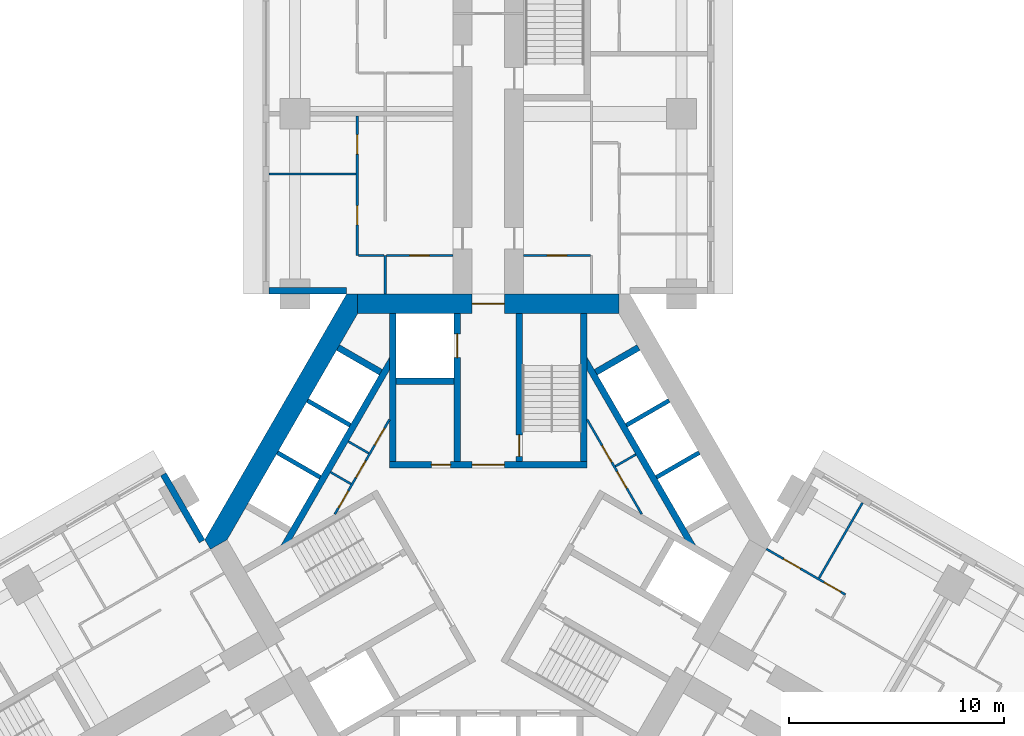
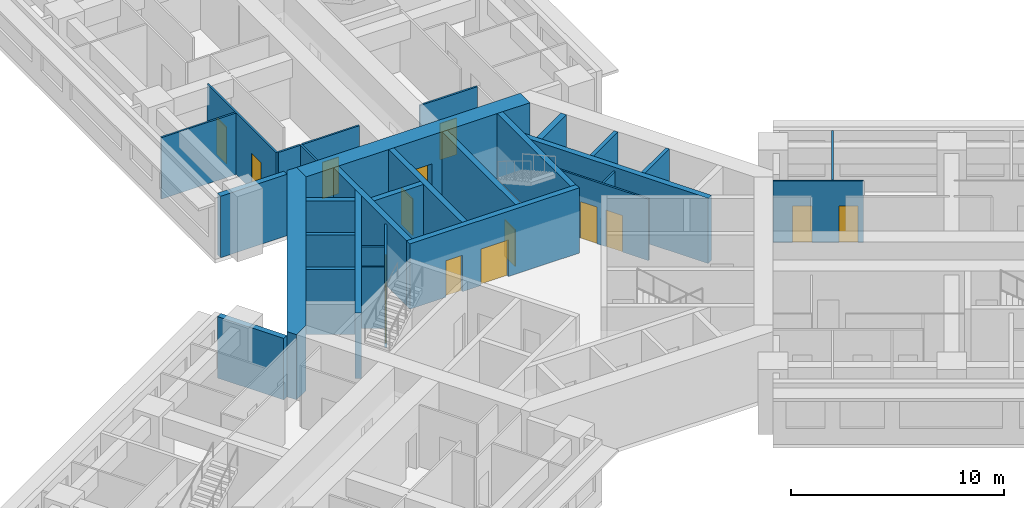
# One storey, part 8 of 16: 31 walls, 16 doors, 16 openings.
"""IFC4 building model written with IfcOpenShell, lengths in metres."""

from ifc_helpers import new_model, si_unit, direction, frame, frame_2d, origin, place, context, subcontext, project, spatial, polyline, rectangle, outline, extrude, material, layer, layer_set, type_object, element, fill, save


model = new_model("IFC4")

# Units and contexts
model_context = context("Model", 3, precision=1e-05, world=origin(), true_north=direction((0.0, 1.0)))
body_context = subcontext(model_context, "Body", "Model", "MODEL_VIEW")
ifc_project = project(units=[si_unit("LENGTHUNIT", "METRE"), si_unit("AREAUNIT", "SQUARE_METRE"), si_unit("VOLUMEUNIT", "CUBIC_METRE"), si_unit("PLANEANGLEUNIT", "RADIAN"), si_unit("MASSUNIT", "GRAM", prefix="KILO")], contexts=[model_context])

# Site, building, storey
site_placement = place(None, origin())
site = spatial("IfcSite", under=ifc_project, at=site_placement, CompositionType="ELEMENT")
building_placement = place(site_placement, origin())
building = spatial("IfcBuilding", under=site, at=building_placement, Name="Impinga Residences", CompositionType="ELEMENT")
storey_placement = place(building_placement, frame((0.0, 0.0, 78.5)))
storey = spatial("IfcBuildingStorey", under=building, at=storey_placement, Name="L19", CompositionType="ELEMENT", Elevation=78.5)

# Wall, openings, doors
ifc_material_1 = material(Name="Concrete blockwork", Category="masonry")
ifc_layer_1 = layer(ifc_material_1, 0.10009765625)
ifc_layer_set_1 = layer_set([ifc_layer_1], Name="CP1 core room partition, blockwork 100")
wall_type_1 = type_object("IfcWallType", Name="CP1 core room partition, blockwork 100", PredefinedType="PARTITIONING", material=ifc_layer_set_1)
wall_1_placement = place(storey_placement, frame((4.60009765625, 5.595703125, 0.0), z_axis=(0.0, 0.0, 1.0), x_axis=(0.499975622669, -0.866039477586, 0.0)))
wall_1 = element("IfcWall", 1, at=wall_1_placement, inside=storey, type_object=wall_type_1, Name="Core room partition, blockwork L19:CORE:mid:FP", PredefinedType="PARTITIONING", context=body_context, shape_type="SweptSolid", body=[
    extrude(rectangle(XDim=5.092041015625, YDim=0.10009765625, at=frame_2d((2.5458984375, 0.0))), origin(), (0.0, 0.0, 1.0), 3.530029296875),
])
opening_1_placement = place(wall_1_placement, frame((1.39599609375, 0.0, 0.0)))
opening_1 = element("IfcOpeningElement", 2, at=opening_1_placement, cuts=wall_1, Name="Opening D6", PredefinedType="OPENING", context=body_context, shape_type="SweptSolid", body=[
    extrude(rectangle(XDim=0.89990234375, YDim=2.10009765625, at=frame_2d((0.449951171875, 1.050048828125))), frame((0.0, 0.06005859375, 0.0), z_axis=(0.0, -1.0, 0.0), x_axis=(1.0, 0.0, 0.0)), (0.0, 0.0, 1.0), 0.1201171875),
])
opening_2_placement = place(wall_1_placement, frame((2.7958984375, 0.0, 0.0)))
opening_2 = element("IfcOpeningElement", 3, at=opening_2_placement, cuts=wall_1, Name="Opening D6", PredefinedType="OPENING", context=body_context, shape_type="SweptSolid", body=[
    extrude(rectangle(XDim=0.89990234375, YDim=2.10009765625, at=frame_2d((0.449951171875, 1.050048828125))), frame((0.0, 0.06005859375, 0.0), z_axis=(0.0, -1.0, 0.0), x_axis=(1.0, 0.0, 0.0)), (0.0, 0.0, 1.0), 0.1201171875),
])
ifc_material_2 = material(Name="Timber door set", Category="wood")
door_type_1 = type_object("IfcDoorType", Name="D6 riser and store door 900x2100", OperationType="SINGLE_SWING_LEFT", PredefinedType="DOOR", material=ifc_material_2)
door_1_placement = place(opening_1_placement, origin())
door_1 = element("IfcDoor", 4, at=door_1_placement, inside=storey, type_object=door_type_1, Name="Housekeeping store door", OperationType="SINGLE_SWING_LEFT", OverallHeight=2.10009765625, OverallWidth=0.89990234375, PredefinedType="DOOR", context=body_context, shape_type="SweptSolid", body=[
    extrude(rectangle(XDim=0.89990234375, YDim=2.10009765625, at=frame_2d((0.449951171875, 1.050048828125))), frame((0.0, 0.02490234375, 0.0), z_axis=(0.0, -1.0, 0.0), x_axis=(1.0, 0.0, 0.0)), (0.0, 0.0, 1.0), 0.050048828125),
])
fill(opening_1, door_1)
door_2_placement = place(opening_2_placement, origin())
door_2 = element("IfcDoor", 5, at=door_2_placement, inside=storey, type_object=door_type_1, Name="Linen store door", OperationType="SINGLE_SWING_RIGHT", OverallHeight=2.10009765625, OverallWidth=0.89990234375, PredefinedType="DOOR", context=body_context, shape_type="SweptSolid", body=[
    extrude(rectangle(XDim=0.89990234375, YDim=2.10009765625, at=frame_2d((0.449951171875, 1.050048828125))), frame((0.0, 0.02490234375, 0.0), z_axis=(0.0, -1.0, 0.0), x_axis=(1.0, 0.0, 0.0)), (0.0, 0.0, 1.0), 0.050048828125),
])
fill(opening_2, door_2)

# Wall
wall_2_placement = place(storey_placement, frame((5.916259765625, 3.415771484375, 0.0), z_axis=(0.0, 0.0, 1.0), x_axis=(0.866008176907, 0.50002983664, 0.0)))
element("IfcWall", 6, at=wall_2_placement, inside=storey, type_object=wall_type_1, Name="Core room partition, blockwork L19:CORE:mid:FS", PredefinedType="PARTITIONING", context=body_context, shape_type="SweptSolid", body=[
    extrude(rectangle(XDim=1.10009765625, YDim=0.10009765625, at=frame_2d((0.550048828125, 0.0))), origin(), (0.0, 0.0, 1.0), 3.530029296875),
])

# Wall, openings, doors
wall_3_placement = place(storey_placement, frame((-7.14599609375, 1.185791015625, 0.0), z_axis=(0.0, 0.0, 1.0), x_axis=(0.499975622669, 0.866039477586, 0.0)))
wall_3 = element("IfcWall", 7, at=wall_3_placement, inside=storey, type_object=wall_type_1, Name="Core room partition, blockwork L19:CORE:high:FP", PredefinedType="PARTITIONING", context=body_context, shape_type="SweptSolid", body=[
    extrude(rectangle(XDim=5.092041015625, YDim=0.10009765625, at=frame_2d((2.5458984375, 0.0))), origin(), (0.0, 0.0, 1.0), 3.530029296875),
])
opening_3_placement = place(wall_3_placement, frame((0.347900390625, 0.0, 0.0)))
opening_3 = element("IfcOpeningElement", 8, at=opening_3_placement, cuts=wall_3, Name="Opening D6", PredefinedType="OPENING", context=body_context, shape_type="SweptSolid", body=[
    extrude(rectangle(XDim=0.89990234375, YDim=2.10009765625, at=frame_2d((0.449951171875, 1.050048828125))), frame((0.0, 0.06005859375, 0.0), z_axis=(0.0, -1.0, 0.0), x_axis=(1.0, 0.0, 0.0)), (0.0, 0.0, 1.0), 0.1201171875),
])
opening_4_placement = place(wall_3_placement, frame((1.970947265625, 0.0, 0.0)))
opening_4 = element("IfcOpeningElement", 9, at=opening_4_placement, cuts=wall_3, Name="Opening D6", PredefinedType="OPENING", context=body_context, shape_type="SweptSolid", body=[
    extrude(rectangle(XDim=0.89990234375, YDim=2.10009765625, at=frame_2d((0.449951171875, 1.050048828125))), frame((0.0, 0.06005859375, 0.0), z_axis=(0.0, -1.0, 0.0), x_axis=(1.0, 0.0, 0.0)), (0.0, 0.0, 1.0), 0.1201171875),
])
opening_5_placement = place(wall_3_placement, frame((3.718994140625, 0.0, 0.0)))
opening_5 = element("IfcOpeningElement", 10, at=opening_5_placement, cuts=wall_3, Name="Opening D6", PredefinedType="OPENING", context=body_context, shape_type="SweptSolid", body=[
    extrude(rectangle(XDim=0.89990234375, YDim=2.10009765625, at=frame_2d((0.449951171875, 1.050048828125))), frame((0.0, 0.06005859375, 0.0), z_axis=(0.0, -1.0, 0.0), x_axis=(1.0, 0.0, 0.0)), (0.0, 0.0, 1.0), 0.1201171875),
])
door_3_placement = place(opening_3_placement, origin())
door_3 = element("IfcDoor", 11, at=door_3_placement, inside=storey, type_object=door_type_1, Name="Cleaners' store door", OperationType="SINGLE_SWING_LEFT", OverallHeight=2.10009765625, OverallWidth=0.89990234375, PredefinedType="DOOR", context=body_context, shape_type="SweptSolid", body=[
    extrude(rectangle(XDim=0.89990234375, YDim=2.10009765625, at=frame_2d((0.449951171875, 1.050048828125))), frame((0.0, 0.02490234375, 0.0), z_axis=(0.0, -1.0, 0.0), x_axis=(1.0, 0.0, 0.0)), (0.0, 0.0, 1.0), 0.050048828125),
])
fill(opening_3, door_3)
door_4_placement = place(opening_4_placement, origin())
door_4 = element("IfcDoor", 12, at=door_4_placement, inside=storey, type_object=door_type_1, Name="Parcel store door", OperationType="SINGLE_SWING_LEFT", OverallHeight=2.10009765625, OverallWidth=0.89990234375, PredefinedType="DOOR", context=body_context, shape_type="SweptSolid", body=[
    extrude(rectangle(XDim=0.89990234375, YDim=2.10009765625, at=frame_2d((0.449951171875, 1.050048828125))), frame((0.0, 0.02490234375, 0.0), z_axis=(0.0, -1.0, 0.0), x_axis=(1.0, 0.0, 0.0)), (0.0, 0.0, 1.0), 0.050048828125),
])
fill(opening_4, door_4)
door_5_placement = place(opening_5_placement, origin())
door_5 = element("IfcDoor", 13, at=door_5_placement, inside=storey, type_object=door_type_1, Name="Comms cupboard door", OperationType="SINGLE_SWING_RIGHT", OverallHeight=2.10009765625, OverallWidth=0.89990234375, PredefinedType="DOOR", context=body_context, shape_type="SweptSolid", body=[
    extrude(rectangle(XDim=0.89990234375, YDim=2.10009765625, at=frame_2d((0.449951171875, 1.050048828125))), frame((0.0, 0.02490234375, 0.0), z_axis=(0.0, -1.0, 0.0), x_axis=(1.0, 0.0, 0.0)), (0.0, 0.0, 1.0), 0.050048828125),
])
fill(opening_5, door_5)

# Walls
for number, where, z_axis, x_axis, name in (
    (14, (-6.391357421875, 2.593017578125, 0.0), (0.0, 0.0, 1.0), (-0.866008176907, 0.50002983664, 0.0), "Core room partition, blockwork L19:CORE:high:FS1"),
    (15, (-5.566162109375, 4.02197265625, 0.0), (0.0, 0.0, 1.0), (-0.866008176907, 0.50002983664, 0.0), "Core room partition, blockwork L19:CORE:high:FS2"),
):
    element("IfcWall", number, at=place(storey_placement, frame(where, z_axis=z_axis, x_axis=x_axis)), inside=storey, type_object=wall_type_1, Name=name, PredefinedType="PARTITIONING", context=body_context, shape_type="SweptSolid", body=[
        extrude(rectangle(XDim=1.10009765625, YDim=0.10009765625, at=frame_2d((0.550048828125, 0.0))), origin(), (0.0, 0.0, 1.0), 3.530029296875),
    ])
ifc_material_3 = material(Name="Terracotta rainscreen on blockwork", Category="masonry")
ifc_layer_2 = layer(ifc_material_3, 0.300048828125)
ifc_layer_set_2 = layer_set([ifc_layer_2], Name="EW1 external wall, terracotta rainscreen on blockwork 300")
wall_type_2 = type_object("IfcWallType", Name="EW1 external wall, terracotta rainscreen on blockwork 300", PredefinedType="SOLIDWALL", material=ifc_layer_set_2)
wall_4_placement = place(storey_placement, frame((-15.1298828125, 3.042724609375, 0.0), z_axis=(0.0, 0.0, 1.0), x_axis=(0.500012057535, -0.866018442252, 0.0)))
element("IfcWall", 16, at=wall_4_placement, inside=storey, type_object=wall_type_2, Name="External wall EW1 L19", PredefinedType="SOLIDWALL", context=body_context, shape_type="SweptSolid", body=[
    extrude(rectangle(XDim=3.60009765625, YDim=0.300048828125, at=frame_2d((1.800048828125, 0.0))), origin(), (0.0, 0.0, 1.0), 3.530029296875),
])
wall_5_placement = place(storey_placement, frame((-6.60009765625, 11.58154296875, 0.0), z_axis=(0.0, 0.0, 1.0), x_axis=(-1.0, 0.0, 0.0)))
element("IfcWall", 17, at=wall_5_placement, inside=storey, type_object=wall_type_2, Name="External wall EW1 L19", PredefinedType="SOLIDWALL", context=body_context, shape_type="SweptSolid", body=[
    extrude(rectangle(XDim=3.599853515625, YDim=0.300048828125, at=frame_2d((1.7998046875, 0.0))), origin(), (0.0, 0.0, 1.0), 3.530029296875),
])
ifc_material_4 = material(Name="Gypsum board on steel studs", Category="steel")
ifc_layer_3 = layer(ifc_material_4, 0.10009765625)
ifc_layer_set_3 = layer_set([ifc_layer_3], Name="Gypsum board on steel studs")
wall_type_3 = type_object("IfcWallType", Name="IP1 partition 100", PredefinedType="PARTITIONING", material=ifc_layer_set_3)
wall_6_placement = place(storey_placement, frame((-4.800048828125, 11.431640625, 0.0), z_axis=(0.0, 0.0, 1.0), x_axis=(0.0, 1.0, 0.0)))
element("IfcWall", 18, at=wall_6_placement, inside=storey, type_object=wall_type_3, Name="Partition L19-NA1:DIV0", PredefinedType="PARTITIONING", context=body_context, shape_type="SweptSolid", body=[
    extrude(rectangle(XDim=1.7998046875, YDim=0.10009765625, at=frame_2d((0.89990234375, 0.0))), origin(), (0.0, 0.0, 1.0), 3.530029296875),
])

# Wall, openings, doors
wall_7_placement = place(storey_placement, frame((-6.10009765625, 13.2314453125, 0.0), z_axis=(0.0, 0.0, 1.0), x_axis=(0.0, 1.0, 0.0)))
wall_7 = element("IfcWall", 19, at=wall_7_placement, inside=storey, type_object=wall_type_3, Name="Partition L19-NA1:STRIP", PredefinedType="PARTITIONING", context=body_context, shape_type="SweptSolid", body=[
    extrude(rectangle(XDim=6.5, YDim=0.10009765625, at=frame_2d((3.25, 0.0))), origin(), (0.0, 0.0, 1.0), 3.530029296875),
])
opening_6_placement = place(wall_7_placement, frame((1.425048828125, 0.0, 0.0)))
opening_6 = element("IfcOpeningElement", 20, at=opening_6_placement, cuts=wall_7, Name="Opening D2", PredefinedType="OPENING", context=body_context, shape_type="SweptSolid", body=[
    extrude(rectangle(XDim=0.89990234375, YDim=2.10009765625, at=frame_2d((0.449951171875, 1.050048828125))), frame((0.0, 0.06005859375, 0.0), z_axis=(0.0, -1.0, 0.0), x_axis=(1.0, 0.0, 0.0)), (0.0, 0.0, 1.0), 0.1201171875),
])
opening_7_placement = place(wall_7_placement, frame((4.72509765625, 0.0, 0.0)))
opening_7 = element("IfcOpeningElement", 21, at=opening_7_placement, cuts=wall_7, Name="Opening D2", PredefinedType="OPENING", context=body_context, shape_type="SweptSolid", body=[
    extrude(rectangle(XDim=0.89990234375, YDim=2.10009765625, at=frame_2d((0.449951171875, 1.050048828125))), frame((0.0, 0.06005859375, 0.0), z_axis=(0.0, -1.0, 0.0), x_axis=(1.0, 0.0, 0.0)), (0.0, 0.0, 1.0), 0.1201171875),
])
door_type_2 = type_object("IfcDoorType", Name="D2 internal door 900x2100", OperationType="SINGLE_SWING_LEFT", PredefinedType="DOOR", material=ifc_material_2)
door_6_placement = place(opening_6_placement, origin())
door_6 = element("IfcDoor", 22, at=door_6_placement, inside=storey, type_object=door_type_2, Name="Apartment L19-NA1 room door", OperationType="SINGLE_SWING_LEFT", OverallHeight=2.10009765625, OverallWidth=0.89990234375, PredefinedType="DOOR", context=body_context, shape_type="SweptSolid", body=[
    extrude(rectangle(XDim=0.89990234375, YDim=2.10009765625, at=frame_2d((0.449951171875, 1.050048828125))), frame((0.0, 0.02490234375, 0.0), z_axis=(0.0, -1.0, 0.0), x_axis=(1.0, 0.0, 0.0)), (0.0, 0.0, 1.0), 0.050048828125),
])
fill(opening_6, door_6)
door_7_placement = place(opening_7_placement, origin())
door_7 = element("IfcDoor", 23, at=door_7_placement, inside=storey, type_object=door_type_2, Name="Apartment L19-NA1 room door", OperationType="SINGLE_SWING_RIGHT", OverallHeight=2.10009765625, OverallWidth=0.89990234375, PredefinedType="DOOR", context=body_context, shape_type="SweptSolid", body=[
    extrude(rectangle(XDim=0.89990234375, YDim=2.10009765625, at=frame_2d((0.449951171875, 1.050048828125))), frame((0.0, 0.02490234375, 0.0), z_axis=(0.0, -1.0, 0.0), x_axis=(1.0, 0.0, 0.0)), (0.0, 0.0, 1.0), 0.050048828125),
])
fill(opening_7, door_7)

# Wall
wall_8_placement = place(storey_placement, frame((-4.85009765625, 13.2314453125, 0.0), z_axis=(0.0, 0.0, 1.0), x_axis=(-1.0, 0.0, 0.0)))
element("IfcWall", 24, at=wall_8_placement, inside=storey, type_object=wall_type_3, Name="Partition L19-NA1:SE0", PredefinedType="PARTITIONING", context=body_context, shape_type="SweptSolid", body=[
    extrude(rectangle(XDim=1.199951171875, YDim=0.10009765625, at=frame_2d((0.60009765625, 0.0))), origin(), (0.0, 0.0, 1.0), 3.530029296875),
])

# Wall, opening, door
wall_9_placement = place(storey_placement, frame((-1.64990234375, 13.2314453125, 0.0), z_axis=(0.0, 0.0, 1.0), x_axis=(-1.0, 0.0, 0.0)))
wall_9 = element("IfcWall", 25, at=wall_9_placement, inside=storey, type_object=wall_type_3, Name="Partition L19-NA1:IB1", PredefinedType="PARTITIONING", context=body_context, shape_type="SweptSolid", body=[
    extrude(rectangle(XDim=3.10009765625, YDim=0.10009765625, at=frame_2d((1.550048828125, 0.0))), origin(), (0.0, 0.0, 1.0), 3.530029296875),
])
opening_8_placement = place(wall_9_placement, frame((1.10009765625, 0.0, 0.0)))
opening_8 = element("IfcOpeningElement", 26, at=opening_8_placement, cuts=wall_9, Name="Opening D2", PredefinedType="OPENING", context=body_context, shape_type="SweptSolid", body=[
    extrude(rectangle(XDim=0.89990234375, YDim=2.10009765625, at=frame_2d((0.449951171875, 1.050048828125))), frame((0.0, 0.06005859375, 0.0), z_axis=(0.0, -1.0, 0.0), x_axis=(1.0, 0.0, 0.0)), (0.0, 0.0, 1.0), 0.1201171875),
])
door_8_placement = place(opening_8_placement, origin())
door_8 = element("IfcDoor", 27, at=door_8_placement, inside=storey, type_object=door_type_2, Name="Apartment L19-NA1 bathroom door", OperationType="SINGLE_SWING_LEFT", OverallHeight=2.10009765625, OverallWidth=0.89990234375, PredefinedType="DOOR", context=body_context, shape_type="SweptSolid", body=[
    extrude(rectangle(XDim=0.89990234375, YDim=2.10009765625, at=frame_2d((0.449951171875, 1.050048828125))), frame((0.0, 0.02490234375, 0.0), z_axis=(0.0, -1.0, 0.0), x_axis=(1.0, 0.0, 0.0)), (0.0, 0.0, 1.0), 0.050048828125),
])
fill(opening_8, door_8)

# Wall
wall_10_placement = place(storey_placement, frame((-6.14990234375, 17.031494140625, 0.0), z_axis=(0.0, 0.0, 1.0), x_axis=(-1.0, 0.0, 0.0)))
element("IfcWall", 28, at=wall_10_placement, inside=storey, type_object=wall_type_3, Name="Partition L19-NA1:OB1", PredefinedType="PARTITIONING", context=body_context, shape_type="SweptSolid", body=[
    extrude(rectangle(XDim=4.050048828125, YDim=0.10009765625, at=frame_2d((2.02490234375, 0.0))), origin(), (0.0, 0.0, 1.0), 3.530029296875),
])

# Wall, opening, door
wall_11_placement = place(storey_placement, frame((1.64990234375, 13.2314453125, 0.0), z_axis=(0.0, 0.0, 1.0), x_axis=(1.0, 0.0, 0.0)))
wall_11 = element("IfcWall", 29, at=wall_11_placement, inside=storey, type_object=wall_type_3, Name="Partition L19-NF1:IB1", PredefinedType="PARTITIONING", context=body_context, shape_type="SweptSolid", body=[
    extrude(rectangle(XDim=3.10009765625, YDim=0.10009765625, at=frame_2d((1.550048828125, 0.0))), origin(), (0.0, 0.0, 1.0), 3.530029296875),
])
opening_9_placement = place(wall_11_placement, frame((1.10009765625, 0.0, 0.0)))
opening_9 = element("IfcOpeningElement", 30, at=opening_9_placement, cuts=wall_11, Name="Opening D2", PredefinedType="OPENING", context=body_context, shape_type="SweptSolid", body=[
    extrude(rectangle(XDim=0.89990234375, YDim=2.10009765625, at=frame_2d((0.449951171875, 1.050048828125))), frame((0.0, 0.06005859375, 0.0), z_axis=(0.0, -1.0, 0.0), x_axis=(1.0, 0.0, 0.0)), (0.0, 0.0, 1.0), 0.1201171875),
])
door_9_placement = place(opening_9_placement, origin())
door_9 = element("IfcDoor", 31, at=door_9_placement, inside=storey, type_object=door_type_2, Name="Apartment L19-NF1 bathroom door", OperationType="SINGLE_SWING_LEFT", OverallHeight=2.10009765625, OverallWidth=0.89990234375, PredefinedType="DOOR", context=body_context, shape_type="SweptSolid", body=[
    extrude(rectangle(XDim=0.89990234375, YDim=2.10009765625, at=frame_2d((0.449951171875, 1.050048828125))), frame((0.0, 0.02490234375, 0.0), z_axis=(0.0, -1.0, 0.0), x_axis=(1.0, 0.0, 0.0)), (0.0, 0.0, 1.0), 0.050048828125),
])
fill(opening_9, door_9)

# Wall, openings, doors
wall_12_placement = place(storey_placement, frame((12.949951171875, -0.43310546875, 0.0), z_axis=(0.0, 0.0, 1.0), x_axis=(0.866028703517, -0.499994284652, 0.0)))
wall_12 = element("IfcWall", 32, at=wall_12_placement, inside=storey, type_object=wall_type_3, Name="Partition L19-EA1:STRIP", PredefinedType="PARTITIONING", context=body_context, shape_type="SweptSolid", body=[
    extrude(rectangle(XDim=4.25, YDim=0.10009765625, at=frame_2d((2.125, 0.0))), origin(), (0.0, 0.0, 1.0), 3.530029296875),
])
opening_10_placement = place(wall_12_placement, frame((0.925048828125, 0.0, 0.0)))
opening_10 = element("IfcOpeningElement", 33, at=opening_10_placement, cuts=wall_12, Name="Opening D2", PredefinedType="OPENING", context=body_context, shape_type="SweptSolid", body=[
    extrude(rectangle(XDim=0.89990234375, YDim=2.10009765625, at=frame_2d((0.449951171875, 1.050048828125))), frame((0.0, 0.06005859375, 0.0), z_axis=(0.0, -1.0, 0.0), x_axis=(1.0, 0.0, 0.0)), (0.0, 0.0, 1.0), 0.1201171875),
])
opening_11_placement = place(wall_12_placement, frame((3.10009765625, 0.0, 0.0)))
opening_11 = element("IfcOpeningElement", 34, at=opening_11_placement, cuts=wall_12, Name="Opening D2", PredefinedType="OPENING", context=body_context, shape_type="SweptSolid", body=[
    extrude(rectangle(XDim=0.89990234375, YDim=2.10009765625, at=frame_2d((0.449951171875, 1.050048828125))), frame((0.0, 0.06005859375, 0.0), z_axis=(0.0, -1.0, 0.0), x_axis=(1.0, 0.0, 0.0)), (0.0, 0.0, 1.0), 0.1201171875),
])
door_10_placement = place(opening_10_placement, origin())
door_10 = element("IfcDoor", 35, at=door_10_placement, inside=storey, type_object=door_type_2, Name="Apartment L19-EA1 room door", OperationType="SINGLE_SWING_LEFT", OverallHeight=2.10009765625, OverallWidth=0.89990234375, PredefinedType="DOOR", context=body_context, shape_type="SweptSolid", body=[
    extrude(rectangle(XDim=0.89990234375, YDim=2.10009765625, at=frame_2d((0.449951171875, 1.050048828125))), frame((0.0, 0.02490234375, 0.0), z_axis=(0.0, -1.0, 0.0), x_axis=(1.0, 0.0, 0.0)), (0.0, 0.0, 1.0), 0.050048828125),
])
fill(opening_10, door_10)
door_11_placement = place(opening_11_placement, origin())
door_11 = element("IfcDoor", 36, at=door_11_placement, inside=storey, type_object=door_type_2, Name="Apartment L19-EA1 room door", OperationType="SINGLE_SWING_RIGHT", OverallHeight=2.10009765625, OverallWidth=0.89990234375, PredefinedType="DOOR", context=body_context, shape_type="SweptSolid", body=[
    extrude(rectangle(XDim=0.89990234375, YDim=2.10009765625, at=frame_2d((0.449951171875, 1.050048828125))), frame((0.0, 0.02490234375, 0.0), z_axis=(0.0, -1.0, 0.0), x_axis=(1.0, 0.0, 0.0)), (0.0, 0.0, 1.0), 0.050048828125),
])
fill(opening_11, door_11)

# Wall
wall_13_placement = place(storey_placement, frame((15.39990234375, -1.789794921875, 0.0), z_axis=(0.0, 0.0, 1.0), x_axis=(0.499964223975, 0.866046058097, 0.0)))
element("IfcWall", 37, at=wall_13_placement, inside=storey, type_object=wall_type_3, Name="Partition L19-EA1:OB1", PredefinedType="PARTITIONING", context=body_context, shape_type="SweptSolid", body=[
    extrude(rectangle(XDim=4.050048828125, YDim=0.10009765625, at=frame_2d((2.02490234375, 0.0))), origin(), (0.0, 0.0, 1.0), 3.530029296875),
])

# Wall, opening, door
ifc_material_5 = material(Name="Concrete C70/85", Category="concrete")
ifc_layer_4 = layer(ifc_material_5, 0.89990234375)
ifc_layer_set_4 = layer_set([ifc_layer_4], Name="Concrete C70/85")
wall_type_4 = type_object("IfcWallType", Name="SW1 core wall 900", PredefinedType="SHEAR", material=ifc_layer_set_4)
wall_14_placement = place(storey_placement, frame((-6.080322265625, 10.9814453125, 0.0), z_axis=(0.0, 0.0, 1.0), x_axis=(1.0, 0.0, 0.0)))
wall_14 = element("IfcWall", 38, at=wall_14_placement, inside=storey, type_object=wall_type_4, Name="Core wall SW1 N:FACE L19", PredefinedType="SHEAR", context=body_context, shape_type="SweptSolid", body=[
    extrude(rectangle(XDim=12.16064453125, YDim=0.89990234375, at=frame_2d((6.080322265625, 0.0))), origin(), (0.0, 0.0, 1.0), 3.75),
])
opening_12_placement = place(wall_14_placement, frame((5.330322265625, 0.0, 0.0)))
opening_12 = element("IfcOpeningElement", 39, at=opening_12_placement, cuts=wall_14, Name="Opening D4", PredefinedType="OPENING", context=body_context, shape_type="SweptSolid", body=[
    extrude(rectangle(XDim=1.5, YDim=2.10009765625, at=frame_2d((0.75, 1.050048828125))), frame((0.0, 0.4599609375, 0.0), z_axis=(0.0, -1.0, 0.0), x_axis=(1.0, 0.0, 0.0)), (0.0, 0.0, 1.0), 0.919921875),
])
door_type_3 = type_object("IfcDoorType", Name="D4 lobby door pair 1500x2100", OperationType="DOUBLE_DOOR_DOUBLE_SWING", PredefinedType="DOOR", material=ifc_material_2)
door_12_placement = place(opening_12_placement, origin())
door_12 = element("IfcDoor", 40, at=door_12_placement, inside=storey, type_object=door_type_3, Name="Lobby door N", OperationType="DOUBLE_DOOR_DOUBLE_SWING", OverallHeight=2.10009765625, OverallWidth=1.5, PredefinedType="DOOR", context=body_context, shape_type="SweptSolid", body=[
    extrude(rectangle(XDim=1.5, YDim=2.10009765625, at=frame_2d((0.75, 1.050048828125))), frame((0.0, 0.02490234375, 0.0), z_axis=(0.0, -1.0, 0.0), x_axis=(1.0, 0.0, 0.0)), (0.0, 0.0, 1.0), 0.050048828125),
])
fill(opening_12, door_12)

# Wall
wall_15_placement = place(storey_placement, origin())
element("IfcWall", 41, at=wall_15_placement, inside=storey, type_object=wall_type_4, Name="Core wall SW1 E:EXPOSED L19", PredefinedType="SHEAR", context=body_context, shape_type="SweptSolid", body=[
    extrude(outline(polyline([(-6.60009765625, 11.431640625), (-13.199951171875, 0.0), (-12.940185546875, -0.449951171875), (-12.160888671875, 0.0), (-6.080322265625, 10.531494140625), (-6.080322265625, 11.431640625), (-6.60009765625, 11.431640625)])), origin(), (0.0, 0.0, 1.0), 3.75),
])

# Wall, openings, doors
ifc_layer_5 = layer(ifc_material_5, 0.300048828125)
ifc_layer_set_5 = layer_set([ifc_layer_5], Name="Concrete C70/85")
wall_type_5 = type_object("IfcWallType", Name="SW5 core inner wall, stairs, shafts and lobbies 300", PredefinedType="SHEAR", material=ifc_layer_set_5)
wall_16_placement = place(storey_placement, frame((-4.60009765625, 3.47998046875, 0.0), z_axis=(0.0, 0.0, 1.0), x_axis=(1.0, 0.0, 0.0)))
wall_16 = element("IfcWall", 42, at=wall_16_placement, inside=storey, type_object=wall_type_5, Name="Core wall SW5 N:ZONE L19", PredefinedType="SHEAR", context=body_context, shape_type="SweptSolid", body=[
    extrude(rectangle(XDim=9.2001953125, YDim=0.300048828125, at=frame_2d((4.60009765625, 0.0))), origin(), (0.0, 0.0, 1.0), 3.75),
])
opening_13_placement = place(wall_16_placement, frame((3.85009765625, 0.0, 0.0)))
opening_13 = element("IfcOpeningElement", 43, at=opening_13_placement, cuts=wall_16, Name="Opening D4", PredefinedType="OPENING", context=body_context, shape_type="SweptSolid", body=[
    extrude(rectangle(XDim=1.5, YDim=2.10009765625, at=frame_2d((0.75, 1.050048828125))), frame((0.0, 0.159912109375, 0.0), z_axis=(0.0, -1.0, 0.0), x_axis=(1.0, 0.0, 0.0)), (0.0, 0.0, 1.0), 0.320068359375),
])
opening_14_placement = place(wall_16_placement, frame((1.949951171875, 0.0, 0.0)))
opening_14 = element("IfcOpeningElement", 44, at=opening_14_placement, cuts=wall_16, Name="Opening D6", PredefinedType="OPENING", context=body_context, shape_type="SweptSolid", body=[
    extrude(rectangle(XDim=0.89990234375, YDim=2.10009765625, at=frame_2d((0.449951171875, 1.050048828125))), frame((0.0, 0.159912109375, 0.0), z_axis=(0.0, -1.0, 0.0), x_axis=(1.0, 0.0, 0.0)), (0.0, 0.0, 1.0), 0.320068359375),
])
door_13_placement = place(opening_13_placement, origin())
door_13 = element("IfcDoor", 45, at=door_13_placement, inside=storey, type_object=door_type_3, Name="Firefighting lobby door N", OperationType="DOUBLE_DOOR_DOUBLE_SWING", OverallHeight=2.10009765625, OverallWidth=1.5, PredefinedType="DOOR", context=body_context, shape_type="SweptSolid", body=[
    extrude(rectangle(XDim=1.5, YDim=2.10009765625, at=frame_2d((0.75, 1.050048828125))), frame((0.0, 0.02490234375, 0.0), z_axis=(0.0, -1.0, 0.0), x_axis=(1.0, 0.0, 0.0)), (0.0, 0.0, 1.0), 0.050048828125),
])
fill(opening_13, door_13)
door_14_placement = place(opening_14_placement, origin())
door_14 = element("IfcDoor", 46, at=door_14_placement, inside=storey, type_object=door_type_1, Name="Riser door N", OperationType="SINGLE_SWING_LEFT", OverallHeight=2.10009765625, OverallWidth=0.89990234375, PredefinedType="DOOR", context=body_context, shape_type="SweptSolid", body=[
    extrude(rectangle(XDim=0.89990234375, YDim=2.10009765625, at=frame_2d((0.449951171875, 1.050048828125))), frame((0.0, 0.02490234375, 0.0), z_axis=(0.0, -1.0, 0.0), x_axis=(1.0, 0.0, 0.0)), (0.0, 0.0, 1.0), 0.050048828125),
])
fill(opening_14, door_14)

# Wall, opening, door
wall_17_placement = place(storey_placement, frame((1.449951171875, 3.6298828125, 0.0), z_axis=(0.0, 0.0, 1.0), x_axis=(0.0, 1.0, 0.0)))
wall_17 = element("IfcWall", 47, at=wall_17_placement, inside=storey, type_object=wall_type_5, Name="Core wall SW5 N:ST-IN L19", PredefinedType="SHEAR", context=body_context, shape_type="SweptSolid", body=[
    extrude(rectangle(XDim=6.901611328125, YDim=0.300048828125, at=frame_2d((3.45068359375, 0.0))), origin(), (0.0, 0.0, 1.0), 3.75),
])
opening_15_placement = place(wall_17_placement, frame((0.25, 0.0, 0.0)))
opening_15 = element("IfcOpeningElement", 48, at=opening_15_placement, cuts=wall_17, Name="Opening D5", PredefinedType="OPENING", context=body_context, shape_type="SweptSolid", body=[
    extrude(rectangle(XDim=1.0, YDim=2.10009765625, at=frame_2d((0.5, 1.050048828125))), frame((0.0, 0.159912109375, 0.0), z_axis=(0.0, -1.0, 0.0), x_axis=(1.0, 0.0, 0.0)), (0.0, 0.0, 1.0), 0.320068359375),
])
door_type_4 = type_object("IfcDoorType", Name="D5 stair door 1000x2100", OperationType="SINGLE_SWING_LEFT", PredefinedType="DOOR", material=ifc_material_2)
door_15_placement = place(opening_15_placement, origin())
door_15 = element("IfcDoor", 49, at=door_15_placement, inside=storey, type_object=door_type_4, Name="Stair door N", OperationType="SINGLE_SWING_LEFT", OverallHeight=2.10009765625, OverallWidth=1.0, PredefinedType="DOOR", context=body_context, shape_type="SweptSolid", body=[
    extrude(rectangle(XDim=1.0, YDim=2.10009765625, at=frame_2d((0.5, 1.050048828125))), frame((0.0, 0.02490234375, 0.0), z_axis=(0.0, -1.0, 0.0), x_axis=(1.0, 0.0, 0.0)), (0.0, 0.0, 1.0), 0.050048828125),
])
fill(opening_15, door_15)

# Wall
wall_18_placement = place(storey_placement, frame((4.449951171875, 3.6298828125, 0.0), z_axis=(0.0, 0.0, 1.0), x_axis=(0.0, 1.0, 0.0)))
element("IfcWall", 50, at=wall_18_placement, inside=storey, type_object=wall_type_5, Name="Core wall SW5 N:ST-OUT L19", PredefinedType="SHEAR", context=body_context, shape_type="SweptSolid", body=[
    extrude(rectangle(XDim=6.901611328125, YDim=0.300048828125, at=frame_2d((3.45068359375, 0.0))), origin(), (0.0, 0.0, 1.0), 3.75),
])

# Wall, opening, door
wall_19_placement = place(storey_placement, frame((-1.449951171875, 3.6298828125, 0.0), z_axis=(0.0, 0.0, 1.0), x_axis=(0.0, 1.0, 0.0)))
wall_19 = element("IfcWall", 51, at=wall_19_placement, inside=storey, type_object=wall_type_5, Name="Core wall SW5 N:FF-IN L19", PredefinedType="SHEAR", context=body_context, shape_type="SweptSolid", body=[
    extrude(rectangle(XDim=6.901611328125, YDim=0.300048828125, at=frame_2d((3.45068359375, 0.0))), origin(), (0.0, 0.0, 1.0), 3.75),
])
opening_16_placement = place(wall_19_placement, frame((4.85009765625, 0.0, 0.0)))
opening_16 = element("IfcOpeningElement", 52, at=opening_16_placement, cuts=wall_19, Name="Opening LD2", PredefinedType="OPENING", context=body_context, shape_type="SweptSolid", body=[
    extrude(rectangle(XDim=1.10009765625, YDim=2.10009765625, at=frame_2d((0.550048828125, 1.050048828125))), frame((0.0, 0.159912109375, 0.0), z_axis=(0.0, -1.0, 0.0), x_axis=(1.0, 0.0, 0.0)), (0.0, 0.0, 1.0), 0.320068359375),
])
ifc_material_6 = material(Name="Steel lift landing door", Category="steel")
door_type_5 = type_object("IfcDoorType", Name="LD2 firefighting lift landing door 1100x2100", OperationType="DOUBLE_DOOR_SLIDING", PredefinedType="DOOR", material=ifc_material_6)
door_16_placement = place(opening_16_placement, origin())
door_16 = element("IfcDoor", 53, at=door_16_placement, inside=storey, type_object=door_type_5, Name="Firefighting lift landing door F1", OperationType="DOUBLE_DOOR_SLIDING", OverallHeight=2.10009765625, OverallWidth=1.10009765625, PredefinedType="DOOR", context=body_context, shape_type="SweptSolid", body=[
    extrude(rectangle(XDim=1.10009765625, YDim=2.10009765625, at=frame_2d((0.550048828125, 1.050048828125))), frame((0.0, 0.02490234375, 0.0), z_axis=(0.0, -1.0, 0.0), x_axis=(1.0, 0.0, 0.0)), (0.0, 0.0, 1.0), 0.050048828125),
])
fill(opening_16, door_16)

# Walls
wall_20_placement = place(storey_placement, frame((-4.449951171875, 3.6298828125, 0.0), z_axis=(0.0, 0.0, 1.0), x_axis=(0.0, 1.0, 0.0)))
element("IfcWall", 54, at=wall_20_placement, inside=storey, type_object=wall_type_5, Name="Core wall SW5 N:FF-OUT L19", PredefinedType="SHEAR", context=body_context, shape_type="SweptSolid", body=[
    extrude(rectangle(XDim=6.901611328125, YDim=0.300048828125, at=frame_2d((3.45068359375, 0.0))), origin(), (0.0, 0.0, 1.0), 3.75),
])
wall_21_placement = place(storey_placement, frame((-4.300048828125, 7.3798828125, 0.0), z_axis=(0.0, 0.0, 1.0), x_axis=(1.0, 0.0, 0.0)))
element("IfcWall", 55, at=wall_21_placement, inside=storey, type_object=wall_type_5, Name="Core wall SW5 N:FF-RS L19", PredefinedType="SHEAR", context=body_context, shape_type="SweptSolid", body=[
    extrude(rectangle(XDim=2.699951171875, YDim=0.300048828125, at=frame_2d((1.35009765625, 0.0))), origin(), (0.0, 0.0, 1.0), 3.75),
])
wall_22_placement = place(storey_placement, frame((4.449951171875, 8.455322265625, 0.0), z_axis=(0.0, 0.0, 1.0), x_axis=(0.500002290144, -0.866024081565, 0.0)))
element("IfcWall", 56, at=wall_22_placement, inside=storey, type_object=wall_type_5, Name="Core wall SW5 W:BANK-FRONT L19", PredefinedType="SHEAR", context=body_context, shape_type="SweptSolid", body=[
    extrude(rectangle(XDim=10.1953125, YDim=0.300048828125, at=frame_2d((5.09765625, 0.0))), origin(), (0.0, 0.0, 1.0), 3.75),
])
wall_23_placement = place(storey_placement, frame((5.003662109375, 7.79638671875, 0.0), z_axis=(0.0, 0.0, 1.0), x_axis=(0.866053019151, 0.499952165731, 0.0)))
element("IfcWall", 57, at=wall_23_placement, inside=storey, type_object=wall_type_5, Name="Core wall SW5 W:BANK-L L19", PredefinedType="SHEAR", context=body_context, shape_type="SweptSolid", body=[
    extrude(rectangle(XDim=2.300048828125, YDim=0.300048828125, at=frame_2d((1.14990234375, 0.0))), origin(), (0.0, 0.0, 1.0), 3.75),
])
wall_24_placement = place(storey_placement, frame((-9.547607421875, -0.3740234375, 0.0), z_axis=(0.0, 0.0, 1.0), x_axis=(0.500002290144, 0.866024081565, 0.0)))
element("IfcWall", 58, at=wall_24_placement, inside=storey, type_object=wall_type_5, Name="Core wall SW5 E:BANK-FRONT L19", PredefinedType="SHEAR", context=body_context, shape_type="SweptSolid", body=[
    extrude(rectangle(XDim=10.1953125, YDim=0.300048828125, at=frame_2d((5.09765625, 0.0))), origin(), (0.0, 0.0, 1.0), 3.75),
])
wall_25_placement = place(storey_placement, frame((-5.003662109375, 7.79638671875, 0.0), z_axis=(0.0, 0.0, 1.0), x_axis=(-0.866053019151, 0.499952165731, 0.0)))
element("IfcWall", 59, at=wall_25_placement, inside=storey, type_object=wall_type_5, Name="Core wall SW5 E:BANK-R L19", PredefinedType="SHEAR", context=body_context, shape_type="SweptSolid", body=[
    extrude(rectangle(XDim=2.300048828125, YDim=0.300048828125, at=frame_2d((1.14990234375, 0.0))), origin(), (0.0, 0.0, 1.0), 3.75),
])
ifc_layer_6 = layer(ifc_material_5, 0.199951171875)
ifc_layer_set_6 = layer_set([ifc_layer_6], Name="Concrete C70/85")
wall_type_6 = type_object("IfcWallType", Name="SW6 lift shaft divider wall 200", PredefinedType="SHEAR", material=ifc_layer_set_6)
for number, where, z_axis, x_axis, name in (
    (60, (6.4287109375, 5.328125, 0.0), (0.0, 0.0, 1.0), (0.866007057882, 0.500031774688, 0.0), "Core wall SW6 W:BANK-D1 L19"),
    (61, (7.82861328125, 2.9033203125, 0.0), (0.0, 0.0, 1.0), (0.866053019151, 0.499952165731, 0.0), "Core wall SW6 W:BANK-D2 L19"),
    (62, (-7.82861328125, 2.9033203125, 0.0), (0.0, 0.0, 1.0), (-0.866053019151, 0.499952165731, 0.0), "Core wall SW6 E:BANK-D1 L19"),
    (63, (-6.4287109375, 5.328125, 0.0), (0.0, 0.0, 1.0), (-0.866007057882, 0.500031774688, 0.0), "Core wall SW6 E:BANK-D2 L19"),
):
    element("IfcWall", number, at=place(storey_placement, frame(where, z_axis=z_axis, x_axis=x_axis)), inside=storey, type_object=wall_type_6, Name=name, PredefinedType="SHEAR", context=body_context, shape_type="SweptSolid", body=[
        extrude(rectangle(XDim=2.300048828125, YDim=0.199951171875, at=frame_2d((1.14990234375, 0.0))), origin(), (0.0, 0.0, 1.0), 3.75),
    ])

save(model, "model.ifc")
